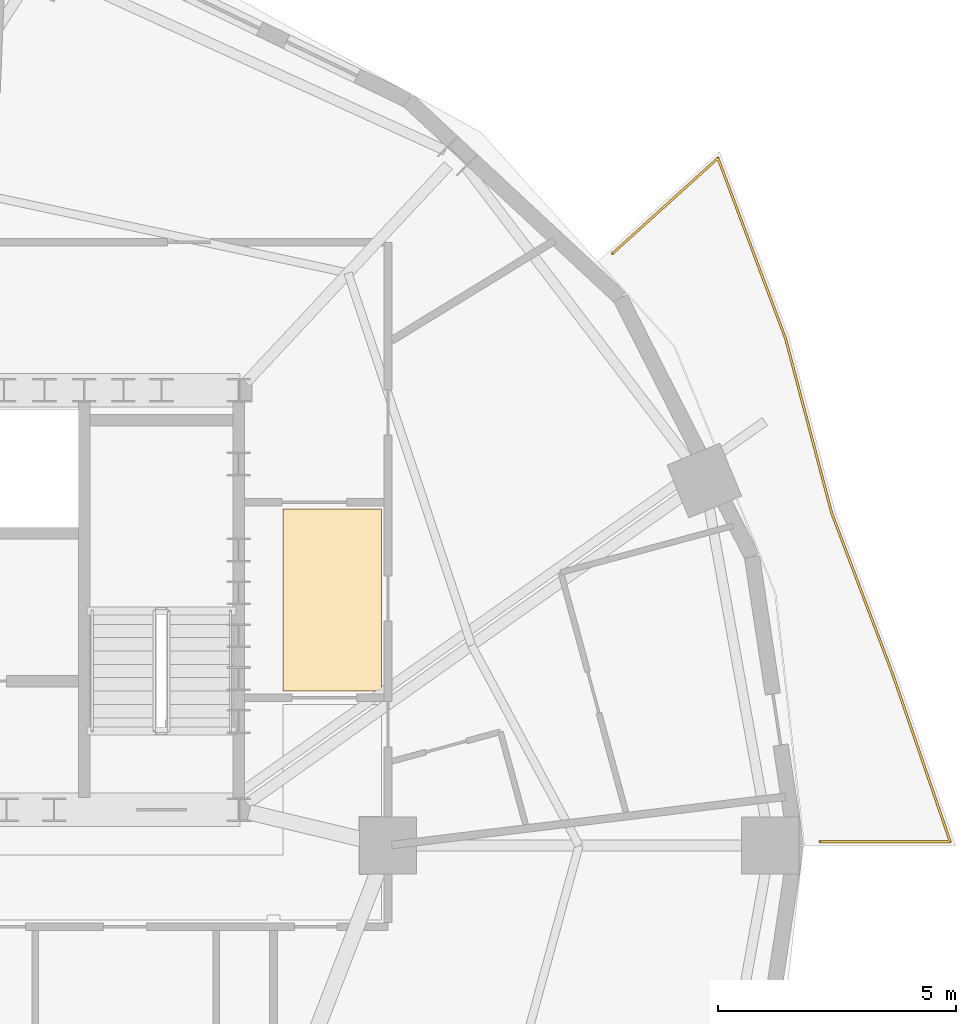
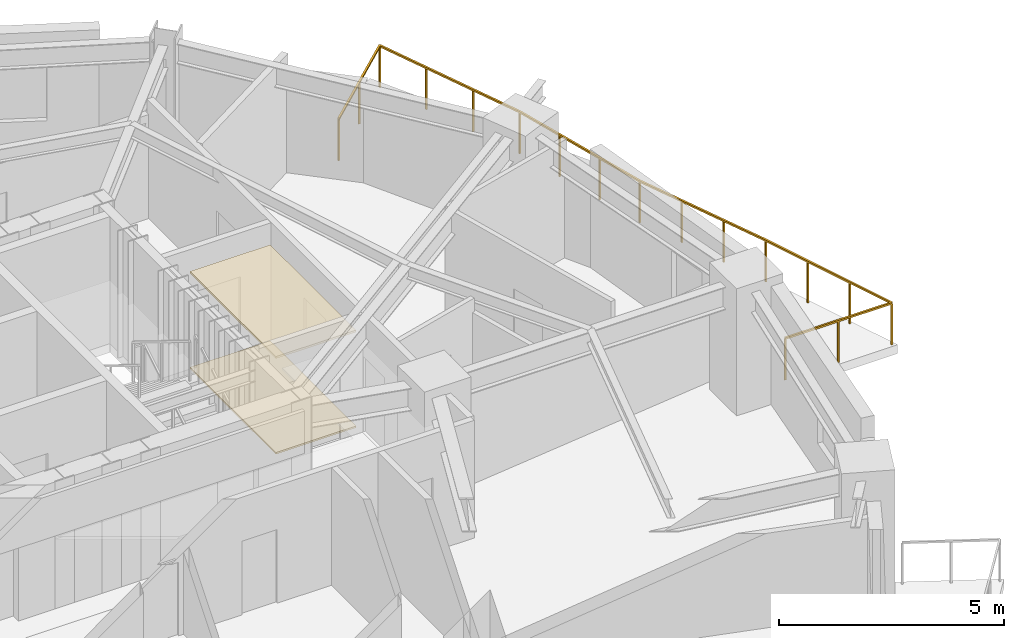
# One storey, part 13 of 13: 2 coverings, 1 railing.
"""IFC4 building model written with IfcOpenShell, lengths in metres."""

from ifc_helpers import new_model, si_unit, direction, frame, origin, origin_2d, place, context, subcontext, project, spatial, polyline, rectangle, outline, extrude, material, layer, layer_set, type_object, element, save


model = new_model("IFC4")

# Units and contexts
model_context = context("Model", 3, precision=1e-05, world=origin(), true_north=direction((0.0, 1.0)))
body_context = subcontext(model_context, "Body", "Model", "MODEL_VIEW")
ifc_project = project(units=[si_unit("LENGTHUNIT", "METRE"), si_unit("AREAUNIT", "SQUARE_METRE"), si_unit("VOLUMEUNIT", "CUBIC_METRE"), si_unit("PLANEANGLEUNIT", "RADIAN"), si_unit("MASSUNIT", "GRAM", prefix="KILO")], contexts=[model_context])

# Site, building, storey
site_placement = place(None, origin())
site = spatial("IfcSite", under=ifc_project, at=site_placement, CompositionType="ELEMENT")
building_placement = place(site_placement, origin())
building = spatial("IfcBuilding", under=site, at=building_placement, Name="Haldorwick Loom Tower", CompositionType="ELEMENT")
storey_placement = place(building_placement, frame((0.0, 0.0, 139.10009765625)))
storey = spatial("IfcBuildingStorey", under=building, at=storey_placement, Name="L37", CompositionType="ELEMENT", Elevation=139.10009765625)

# Coverings
ifc_material_1 = material(Name="Mineral Fibre Acoustic Ceiling Tile")
ifc_layer_1 = layer(ifc_material_1, 0.054931640625, Name="Mineral Fibre Acoustic Ceiling Tile")
ifc_layer_set_1 = layer_set([ifc_layer_1], Name="Mineral Fibre Acoustic Ceiling Tile")
covering_type_1 = type_object("IfcCoveringType", Name="ARC-COV-CEIL2", PredefinedType="CEILING", material=ifc_layer_set_1)
covering_1_placement = place(storey_placement, frame((0.0, 0.0, 2.594970703125)))
element("IfcCovering", 1, at=covering_1_placement, inside=storey, type_object=covering_type_1, Name="L37 Acoustic Suspended Ceiling 2", PredefinedType="CEILING", context=body_context, shape_type="SweptSolid", body=[
    extrude(outline(polyline([(51.0, 33.06005859375), (51.0, 29.239990234375), (53.06005859375, 29.239990234375), (53.06005859375, 33.06005859375), (51.0, 33.06005859375)])), origin(), (0.0, 0.0, 1.0), 0.054931640625),
])
ifc_material_2 = material(Name="Polished Aggregate Terrazzo Finish")
ifc_layer_2 = layer(ifc_material_2, 0.044921875, Name="Polished Aggregate Terrazzo Finish")
ifc_layer_set_2 = layer_set([ifc_layer_2], Name="Polished Aggregate Terrazzo Finish")
covering_type_2 = type_object("IfcCoveringType", Name="ARC-COV-FLOOR2", PredefinedType="FLOORING", material=ifc_layer_set_2)
covering_2_placement = place(storey_placement, origin())
element("IfcCovering", 2, at=covering_2_placement, inside=storey, type_object=covering_type_2, Name="L37 Floor Finish 2", PredefinedType="FLOORING", context=body_context, shape_type="SweptSolid", body=[
    extrude(outline(polyline([(51.0, 33.06005859375), (51.0, 29.239990234375), (53.06005859375, 29.239990234375), (53.06005859375, 33.06005859375), (51.0, 33.06005859375)])), origin(), (0.0, 0.0, 1.0), 0.044921875),
])

# Railing
ifc_material_3 = material(Name="Galvanized Steel CSA G40.21 350W", Category="steel")
railing_type = type_object("IfcRailingType", Name="ARC-RLG-BAL115", PredefinedType="BALUSTRADE", material=ifc_material_3)
railing_placement = place(storey_placement, frame((57.91162109375, 38.41845703125, 0.0)))
element("IfcRailing", 3, at=railing_placement, inside=storey, type_object=railing_type, Name="L37 Outdoor Terrace Guardrail SLB-L37-BAL_ENE-1", PredefinedType="BALUSTRADE", context=body_context, shape_type="SweptSolid", body=[
    extrude(rectangle(XDim=0.048095703125, YDim=0.048095703125, at=origin_2d()), frame((0.0, 0.0, 1.1259765625), z_axis=(0.741694932885, 0.670737375232, 0.0), x_axis=(-0.670737375232, 0.741694932885, 0.0)), (0.0, 0.0, 1.0), 2.9794921875),
    extrude(rectangle(XDim=0.048095703125, YDim=0.048095703125, at=origin_2d()), frame((2.2099609375, 1.99853515625, 1.1259765625), z_axis=(0.350917888404, -0.93640623428, 0.0), x_axis=(0.93640623428, 0.350917888404, 0.0)), (0.0, 0.0, 1.0), 4.03515625),
    extrude(rectangle(XDim=0.048095703125, YDim=0.048095703125, at=origin_2d()), frame((3.6259765625, -1.780029296875, 1.1259765625), z_axis=(0.255651532223, -0.966768997265, 0.0), x_axis=(0.966768997265, 0.255651532223, 0.0)), (0.0, 0.0, 1.0), 3.786376953125),
    extrude(rectangle(XDim=0.048095703125, YDim=0.048095703125, at=origin_2d()), frame((4.593994140625, -5.440673828125, 1.1259765625), z_axis=(0.307002779923, -0.951708617761, 0.0), x_axis=(0.951708617761, 0.307002779923, 0.0)), (0.0, 0.0, 1.0), 0.008056640625),
    extrude(rectangle(XDim=0.048095703125, YDim=0.048095703125, at=origin_2d()), frame((4.596435546875, -5.4482421875, 1.1259765625), z_axis=(0.354053402924, -0.935225207037, 0.0), x_axis=(0.935225207037, 0.354053402924, 0.0)), (0.0, 0.0, 1.0), 3.614013671875),
    extrude(rectangle(XDim=0.048095703125, YDim=0.048095703125, at=origin_2d()), frame((5.8759765625, -8.828125, 1.1259765625), z_axis=(0.324877543995, -0.945756089807, 0.0), x_axis=(0.945756089807, 0.324877543995, 0.0)), (0.0, 0.0, 1.0), 3.711669921875),
    extrude(rectangle(XDim=0.048095703125, YDim=0.048095703125, at=origin_2d()), frame((7.081787109375, -12.33837890625, 1.1259765625), z_axis=(-1.0, 0.0, 0.0), x_axis=(0.0, -1.0, 0.0)), (0.0, 0.0, 1.0), 2.733154296875),
    extrude(rectangle(XDim=0.0419921875, YDim=0.0419921875, at=origin_2d()), origin(), (0.0, 0.0, 1.0), 1.101806640625),
    extrude(rectangle(XDim=0.0419921875, YDim=0.0419921875, at=origin_2d()), frame((1.10498046875, 0.999267578125, 0.0)), (0.0, 0.0, 1.0), 1.101806640625),
    extrude(rectangle(XDim=0.0419921875, YDim=0.0419921875, at=origin_2d()), frame((2.2099609375, 1.99853515625, 0.0)), (0.0, 0.0, 1.0), 1.101806640625),
    extrude(rectangle(XDim=0.0419921875, YDim=0.0419921875, at=origin_2d()), frame((2.681884765625, 0.739013671875, 0.0)), (0.0, 0.0, 1.0), 1.101806640625),
    extrude(rectangle(XDim=0.0419921875, YDim=0.0419921875, at=origin_2d()), frame((3.154052734375, -0.5205078125, 0.0)), (0.0, 0.0, 1.0), 1.101806640625),
    extrude(rectangle(XDim=0.0419921875, YDim=0.0419921875, at=origin_2d()), frame((3.6259765625, -1.780029296875, 0.0)), (0.0, 0.0, 1.0), 1.101806640625),
    extrude(rectangle(XDim=0.0419921875, YDim=0.0419921875, at=origin_2d()), frame((3.94873046875, -3.000244140625, 0.0)), (0.0, 0.0, 1.0), 1.101806640625),
    extrude(rectangle(XDim=0.0419921875, YDim=0.0419921875, at=origin_2d()), frame((4.271240234375, -4.220458984375, 0.0)), (0.0, 0.0, 1.0), 1.101806640625),
    extrude(rectangle(XDim=0.0419921875, YDim=0.0419921875, at=origin_2d()), frame((4.593994140625, -5.440673828125, 0.0)), (0.0, 0.0, 1.0), 1.101806640625),
    extrude(rectangle(XDim=0.0419921875, YDim=0.0419921875, at=origin_2d()), frame((5.02294921875, -6.574951171875, 0.0)), (0.0, 0.0, 1.0), 1.101806640625),
    extrude(rectangle(XDim=0.0419921875, YDim=0.0419921875, at=origin_2d()), frame((5.449462890625, -7.701416015625, 0.0)), (0.0, 0.0, 1.0), 1.101806640625),
    extrude(rectangle(XDim=0.0419921875, YDim=0.0419921875, at=origin_2d()), frame((5.8759765625, -8.828125, 0.0)), (0.0, 0.0, 1.0), 1.101806640625),
    extrude(rectangle(XDim=0.0419921875, YDim=0.0419921875, at=origin_2d()), frame((6.27783203125, -9.998291015625, 0.0)), (0.0, 0.0, 1.0), 1.101806640625),
    extrude(rectangle(XDim=0.0419921875, YDim=0.0419921875, at=origin_2d()), frame((6.679931640625, -11.168212890625, 0.0)), (0.0, 0.0, 1.0), 1.101806640625),
    extrude(rectangle(XDim=0.0419921875, YDim=0.0419921875, at=origin_2d()), frame((7.081787109375, -12.33837890625, 0.0)), (0.0, 0.0, 1.0), 1.101806640625),
    extrude(rectangle(XDim=0.0419921875, YDim=0.0419921875, at=origin_2d()), frame((5.71533203125, -12.33837890625, 0.0)), (0.0, 0.0, 1.0), 1.101806640625),
    extrude(rectangle(XDim=0.0419921875, YDim=0.0419921875, at=origin_2d()), frame((4.3486328125, -12.33837890625, 0.0)), (0.0, 0.0, 1.0), 1.101806640625),
])

save(model, "model.ifc")
